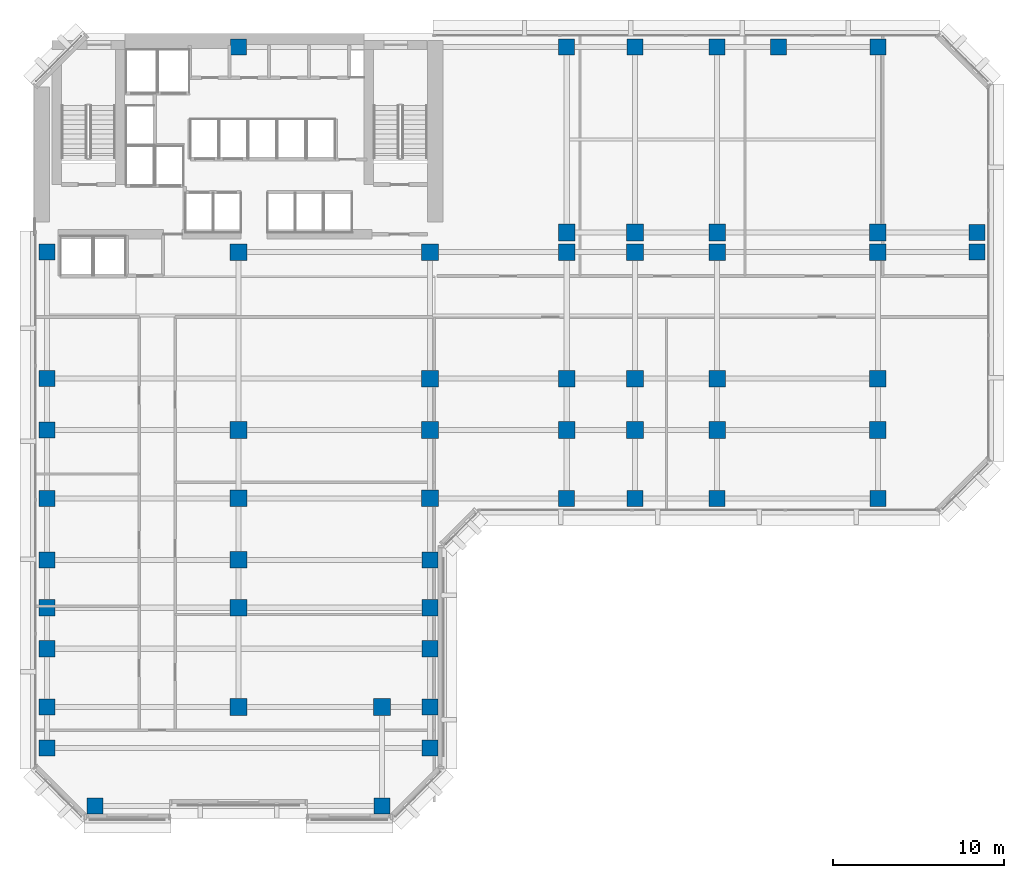
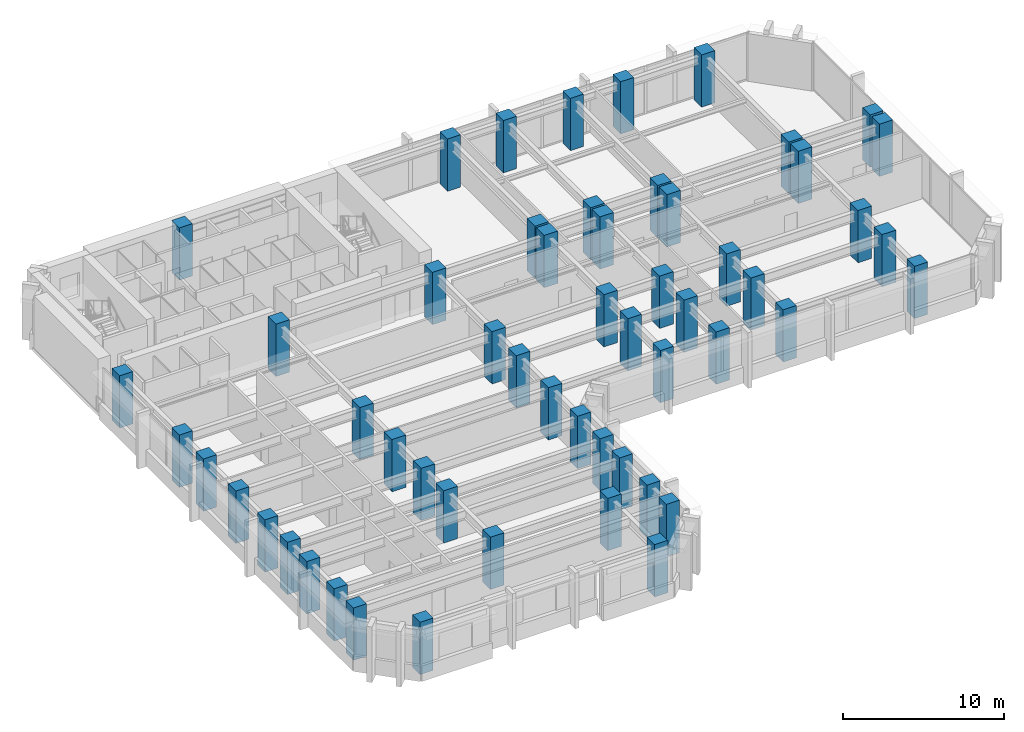
# One storey, part 1 of 13: 55 columns.
"""IFC4 building model written with IfcOpenShell, lengths in metres."""

from ifc_helpers import new_model, si_unit, direction, frame, origin, origin_2d, place, context, subcontext, project, spatial, rectangle, extrude, material, material_profile, profile_set, type_object, element, save


model = new_model("IFC4")

# Units and contexts
model_context = context("Model", 3, precision=1e-05, world=origin(), true_north=direction((0.0, 1.0)))
body_context = subcontext(model_context, "Body", "Model", "MODEL_VIEW")
ifc_project = project(units=[si_unit("LENGTHUNIT", "METRE"), si_unit("AREAUNIT", "SQUARE_METRE"), si_unit("VOLUMEUNIT", "CUBIC_METRE"), si_unit("PLANEANGLEUNIT", "RADIAN"), si_unit("MASSUNIT", "GRAM", prefix="KILO")], contexts=[model_context])

# Site, building, storey
site_placement = place(None, origin())
site = spatial("IfcSite", under=ifc_project, at=site_placement, CompositionType="ELEMENT")
building_placement = place(site_placement, origin())
building = spatial("IfcBuilding", under=site, at=building_placement, Name="Kefirva Bronze Tower", CompositionType="ELEMENT")
storey_placement = place(building_placement, frame((0.0, 0.0, 89.760009765625)))
storey = spatial("IfcBuildingStorey", under=building, at=storey_placement, Name="L21", CompositionType="ELEMENT", Elevation=89.760009765625)

# Columns
ifc_material = material(Name="Concrete C60/75", Category="concrete")
ifc_material_profile_1 = material_profile(ifc_material, rectangle(XDim=0.93994140625, YDim=0.93994140625, at=origin_2d()), Name="RC 940x940")
ifc_profile_set_1 = profile_set([ifc_material_profile_1], Name="Concrete C60/75")
column_type_1 = type_object("IfcColumnType", Name="RC Column 940x940 Ext", PredefinedType="COLUMN", material=ifc_profile_set_1)
for number, where, z_axis, x_axis, name in (
    (1, (0.800048828125, 4.199951171875, 0.0), (0.0, 0.0, 1.0), (1.0, 0.0, 0.0), "L21 Column C008_042"),
    (2, (0.800048828125, 6.60009765625, 0.0), (0.0, 0.0, 1.0), (1.0, 0.0, 0.0), "L21 Column C008_066"),
    (3, (0.800048828125, 10.0, 0.0), (0.0, 0.0, 1.0), (1.0, 0.0, 0.0), "L21 Column C008_100"),
    (4, (0.800048828125, 12.39990234375, 0.0), (0.0, 0.0, 1.0), (1.0, 0.0, 0.0), "L21 Column C008_124"),
    (5, (0.800048828125, 15.199951171875, 0.0), (0.0, 0.0, 1.0), (1.0, 0.0, 0.0), "L21 Column C008_152"),
    (6, (0.800048828125, 18.800048828125, 0.0), (0.0, 0.0, 1.0), (1.0, 0.0, 0.0), "L21 Column C008_188"),
    (7, (0.800048828125, 22.800048828125, 0.0), (0.0, 0.0, 1.0), (1.0, 0.0, 0.0), "L21 Column C008_228"),
    (8, (0.800048828125, 25.800048828125, 0.0), (0.0, 0.0, 1.0), (1.0, 0.0, 0.0), "L21 Column C008_258"),
    (9, (0.800048828125, 33.199951171875, 0.0), (0.0, 0.0, 1.0), (1.0, 0.0, 0.0), "L21 Column C008_332"),
    (10, (3.60009765625, 0.800048828125, 0.0), (0.0, 0.0, 1.0), (1.0, 0.0, 0.0), "L21 Column C036_008"),
    (11, (12.0, 45.199951171875, 0.0), (0.0, 0.0, 1.0), (1.0, 0.0, 0.0), "L21 Column C120_452"),
    (12, (20.39990234375, 0.800048828125, 0.0), (0.0, 0.0, 1.0), (1.0, 0.0, 0.0), "L21 Column C204_008"),
    (13, (23.199951171875, 4.199951171875, 0.0), (0.0, 0.0, 1.0), (1.0, 0.0, 0.0), "L21 Column C232_042"),
    (14, (23.199951171875, 6.60009765625, 0.0), (0.0, 0.0, 1.0), (1.0, 0.0, 0.0), "L21 Column C232_066"),
    (15, (23.199951171875, 10.0, 0.0), (0.0, 0.0, 1.0), (1.0, 0.0, 0.0), "L21 Column C232_100"),
    (16, (23.199951171875, 12.39990234375, 0.0), (0.0, 0.0, 1.0), (1.0, 0.0, 0.0), "L21 Column C232_124"),
    (17, (23.199951171875, 15.199951171875, 0.0), (0.0, 0.0, 1.0), (1.0, 0.0, 0.0), "L21 Column C232_152"),
    (18, (31.199951171875, 18.800048828125, 0.0), (0.0, 0.0, 1.0), (1.0, 0.0, 0.0), "L21 Column C312_188"),
    (19, (31.199951171875, 45.199951171875, 0.0), (0.0, 0.0, 1.0), (1.0, 0.0, 0.0), "L21 Column C312_452"),
    (20, (35.199951171875, 18.800048828125, 0.0), (0.0, 0.0, 1.0), (1.0, 0.0, 0.0), "L21 Column C352_188"),
    (21, (35.199951171875, 45.199951171875, 0.0), (0.0, 0.0, 1.0), (1.0, 0.0, 0.0), "L21 Column C352_452"),
    (22, (40.0, 18.800048828125, 0.0), (0.0, 0.0, 1.0), (1.0, 0.0, 0.0), "L21 Column C400_188"),
    (23, (40.0, 45.199951171875, 0.0), (0.0, 0.0, 1.0), (1.0, 0.0, 0.0), "L21 Column C400_452"),
    (24, (43.60009765625, 45.199951171875, 0.0), (0.0, 0.0, 1.0), (1.0, 0.0, 0.0), "L21 Column C436_452"),
    (25, (49.39990234375, 18.800048828125, 0.0), (0.0, 0.0, 1.0), (1.0, 0.0, 0.0), "L21 Column C494_188"),
    (26, (49.39990234375, 45.199951171875, 0.0), (0.0, 0.0, 1.0), (1.0, 0.0, 0.0), "L21 Column C494_452"),
    (27, (55.199951171875, 33.199951171875, 0.0), (0.0, 0.0, 1.0), (1.0, 0.0, 0.0), "L21 Column C552_332"),
    (28, (55.199951171875, 34.35009765625, 0.0), (0.0, 0.0, 1.0), (1.0, 0.0, 0.0), "L21 Column C552_344"),
):
    element("IfcColumn", number, at=place(storey_placement, frame(where, z_axis=z_axis, x_axis=x_axis)), inside=storey, type_object=column_type_1, Name=name, PredefinedType="COLUMN", context=body_context, shape_type="SweptSolid", body=[
        extrude(rectangle(XDim=0.93994140625, YDim=0.93994140625, at=origin_2d()), origin(), (0.0, 0.0, 1.0), 3.9599609375),
    ])
ifc_material_profile_2 = material_profile(ifc_material, rectangle(XDim=0.97998046875, YDim=0.97998046875, at=origin_2d()), Name="RC 980x980")
ifc_profile_set_2 = profile_set([ifc_material_profile_2], Name="Concrete C60/75")
column_type_2 = type_object("IfcColumnType", Name="RC Column 980x980 Int", PredefinedType="COLUMN", material=ifc_profile_set_2)
for number, where, z_axis, x_axis, name in (
    (29, (12.0, 6.60009765625, 0.0), (0.0, 0.0, 1.0), (1.0, 0.0, 0.0), "L21 Column C120_066"),
    (30, (12.0, 12.39990234375, 0.0), (0.0, 0.0, 1.0), (1.0, 0.0, 0.0), "L21 Column C120_124"),
    (31, (12.0, 15.199951171875, 0.0), (0.0, 0.0, 1.0), (1.0, 0.0, 0.0), "L21 Column C120_152"),
    (32, (12.0, 18.800048828125, 0.0), (0.0, 0.0, 1.0), (1.0, 0.0, 0.0), "L21 Column C120_188"),
    (33, (12.0, 22.800048828125, 0.0), (0.0, 0.0, 1.0), (1.0, 0.0, 0.0), "L21 Column C120_228"),
    (34, (12.0, 33.199951171875, 0.0), (0.0, 0.0, 1.0), (1.0, 0.0, 0.0), "L21 Column C120_332"),
    (35, (20.39990234375, 6.60009765625, 0.0), (0.0, 0.0, 1.0), (1.0, 0.0, 0.0), "L21 Column C204_066"),
    (36, (23.199951171875, 18.800048828125, 0.0), (0.0, 0.0, 1.0), (1.0, 0.0, 0.0), "L21 Column C232_188"),
    (37, (23.199951171875, 22.800048828125, 0.0), (0.0, 0.0, 1.0), (1.0, 0.0, 0.0), "L21 Column C232_228"),
    (38, (23.199951171875, 25.800048828125, 0.0), (0.0, 0.0, 1.0), (1.0, 0.0, 0.0), "L21 Column C232_258"),
    (39, (23.199951171875, 33.199951171875, 0.0), (0.0, 0.0, 1.0), (1.0, 0.0, 0.0), "L21 Column C232_332"),
    (40, (31.199951171875, 22.800048828125, 0.0), (0.0, 0.0, 1.0), (1.0, 0.0, 0.0), "L21 Column C312_228"),
    (41, (31.199951171875, 25.800048828125, 0.0), (0.0, 0.0, 1.0), (1.0, 0.0, 0.0), "L21 Column C312_258"),
    (42, (31.199951171875, 33.199951171875, 0.0), (0.0, 0.0, 1.0), (1.0, 0.0, 0.0), "L21 Column C312_332"),
    (43, (31.199951171875, 34.35009765625, 0.0), (0.0, 0.0, 1.0), (1.0, 0.0, 0.0), "L21 Column C312_344"),
    (44, (35.199951171875, 22.800048828125, 0.0), (0.0, 0.0, 1.0), (1.0, 0.0, 0.0), "L21 Column C352_228"),
    (45, (35.199951171875, 25.800048828125, 0.0), (0.0, 0.0, 1.0), (1.0, 0.0, 0.0), "L21 Column C352_258"),
    (46, (35.199951171875, 33.199951171875, 0.0), (0.0, 0.0, 1.0), (1.0, 0.0, 0.0), "L21 Column C352_332"),
    (47, (35.199951171875, 34.35009765625, 0.0), (0.0, 0.0, 1.0), (1.0, 0.0, 0.0), "L21 Column C352_344"),
    (48, (40.0, 22.800048828125, 0.0), (0.0, 0.0, 1.0), (1.0, 0.0, 0.0), "L21 Column C400_228"),
    (49, (40.0, 25.800048828125, 0.0), (0.0, 0.0, 1.0), (1.0, 0.0, 0.0), "L21 Column C400_258"),
    (50, (40.0, 33.199951171875, 0.0), (0.0, 0.0, 1.0), (1.0, 0.0, 0.0), "L21 Column C400_332"),
    (51, (40.0, 34.35009765625, 0.0), (0.0, 0.0, 1.0), (1.0, 0.0, 0.0), "L21 Column C400_344"),
    (52, (49.39990234375, 22.800048828125, 0.0), (0.0, 0.0, 1.0), (1.0, 0.0, 0.0), "L21 Column C494_228"),
    (53, (49.39990234375, 25.800048828125, 0.0), (0.0, 0.0, 1.0), (1.0, 0.0, 0.0), "L21 Column C494_258"),
    (54, (49.39990234375, 33.199951171875, 0.0), (0.0, 0.0, 1.0), (1.0, 0.0, 0.0), "L21 Column C494_332"),
    (55, (49.39990234375, 34.35009765625, 0.0), (0.0, 0.0, 1.0), (1.0, 0.0, 0.0), "L21 Column C494_344"),
):
    element("IfcColumn", number, at=place(storey_placement, frame(where, z_axis=z_axis, x_axis=x_axis)), inside=storey, type_object=column_type_2, Name=name, PredefinedType="COLUMN", context=body_context, shape_type="SweptSolid", body=[
        extrude(rectangle(XDim=0.97998046875, YDim=0.97998046875, at=origin_2d()), origin(), (0.0, 0.0, 1.0), 3.9599609375),
    ])

save(model, "model.ifc")
